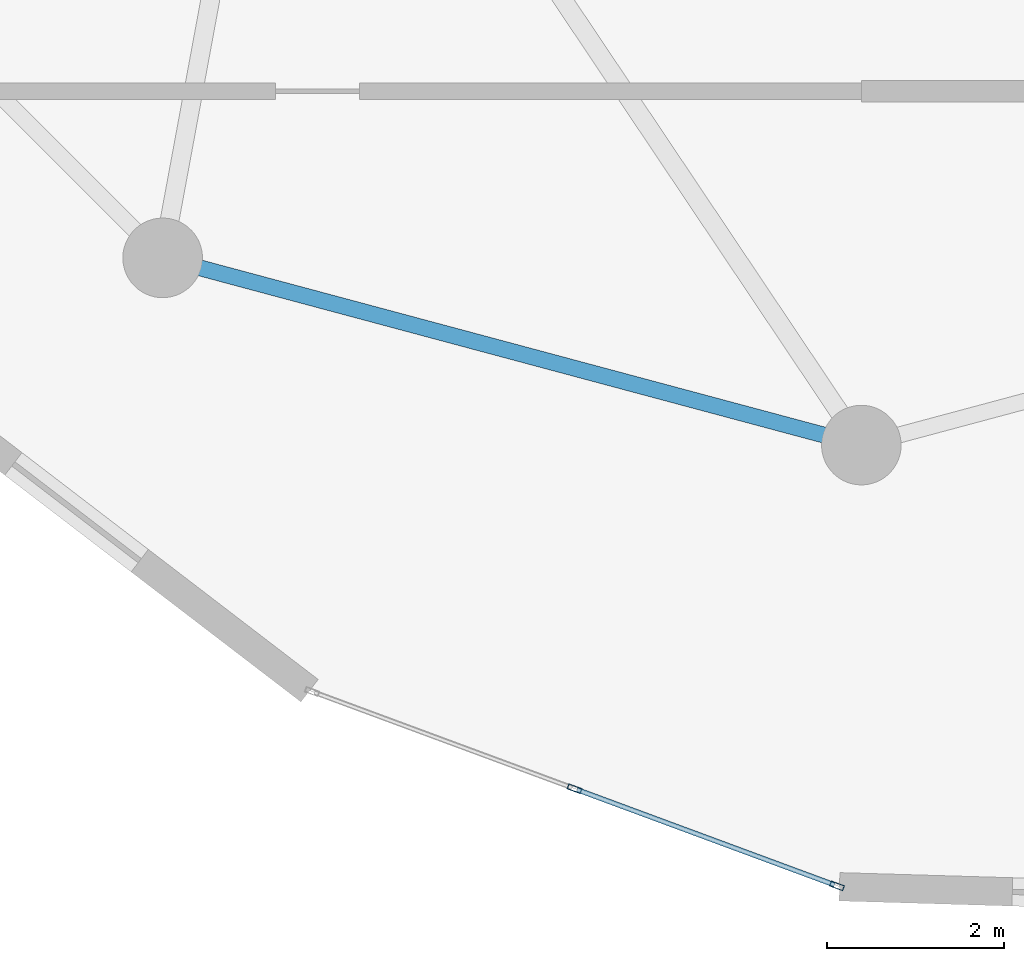
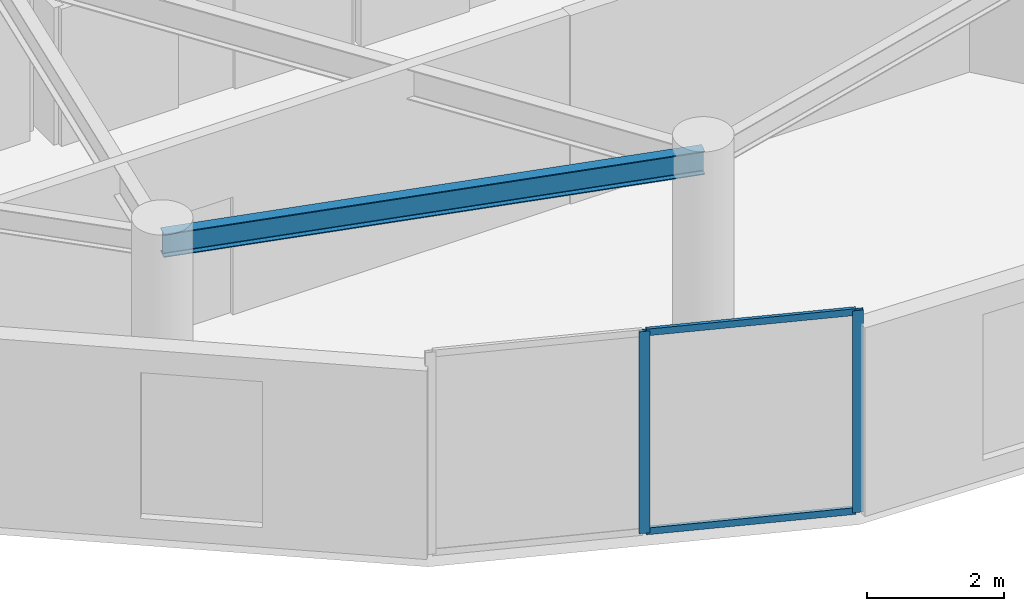
# One storey, part 3 of 20: 4 members, 1 beam, 1 element without a shape of its own.
"""IFC4 building model written with IfcOpenShell, lengths in metres."""

import ifcopenshell
import ifcopenshell.guid

model = None  # the IFC model being written
_history = None  # IfcOwnerHistory: only IFC2X3 demands one
_inside = {}  # id of a spatial element -> (the spatial element, [elements in it])
_under = {}  # id of a project, library or spatial element -> (it, [spatial elements below it])
_declared = {}  # id of a project -> (the project, [libraries it declares])
_typed = {}  # id of a type object -> (the type object, [elements of that type])
_made_of = {}  # id of a material, layer set ... -> (it, [elements and type objects made of it])


def new_model(schema):
    """Start an empty IFC model of exactly this schema.

    Asked for "IFC4X3", IfcOpenShell would pick the latest addendum, in which some entities
    have other attributes; the version numbers below select the first issue.
    IFC2X3 requires an IfcOwnerHistory on every rooted entity: one is made here for all.
    """
    global model, _history
    if schema == "IFC4X3":
        model = ifcopenshell.file(schema_version=(4, 3, 0, 0))
    else:
        model = ifcopenshell.file(schema=schema)
    _inside.clear()
    _under.clear()
    _declared.clear()
    _typed.clear()
    _made_of.clear()
    _history = None
    if model.schema == "IFC2X3":
        org = make("IfcOrganization", Name="unknown")
        user = make(
            "IfcPersonAndOrganization",
            ThePerson=make("IfcPerson", FamilyName="unknown"),
            TheOrganization=org,
        )
        app = make(
            "IfcApplication",
            ApplicationDeveloper=org,
            Version="unknown",
            ApplicationFullName="unknown",
            ApplicationIdentifier="unknown",
        )
        _history = make(
            "IfcOwnerHistory",
            OwningUser=user,
            OwningApplication=app,
            ChangeAction="ADDED",
            CreationDate=0,
        )
    return model


def make(cls, **values):
    """One entity of the class cls with the attributes given. An attribute that is None is left unset."""
    return model.create_entity(
        cls, **{name: value for name, value in values.items() if value is not None}
    )


def rooted(cls, **values):
    """An entity with a GlobalId (a new one), such as an element, a storey or a relation."""
    return make(cls, GlobalId=ifcopenshell.guid.new(), OwnerHistory=_history, **values)


def si_unit(unit_type, name, prefix=None):
    """IfcSIUnit, for example si_unit("LENGTHUNIT", "METRE", prefix="MILLI")."""
    return make("IfcSIUnit", UnitType=unit_type, Prefix=prefix, Name=name)


def assignment(units):
    """IfcUnitAssignment: the units of a project."""
    return None if units is None else make("IfcUnitAssignment", Units=units)


def point(xyz):
    """IfcCartesianPoint."""
    return None if xyz is None else make("IfcCartesianPoint", Coordinates=xyz)


def direction(xyz):
    """IfcDirection."""
    return None if xyz is None else make("IfcDirection", DirectionRatios=xyz)


def frame(location, z_axis=None, x_axis=None):
    """IfcAxis2Placement3D, a coordinate frame: its origin and axes. An axis left out is left unset."""
    return make(
        "IfcAxis2Placement3D",
        Location=point(location),
        Axis=direction(z_axis),
        RefDirection=direction(x_axis),
    )


def frame_2d(location, x_axis=None):
    """IfcAxis2Placement2D, a coordinate frame in the plane: its origin and x axis."""
    return make(
        "IfcAxis2Placement2D", Location=point(location), RefDirection=direction(x_axis)
    )


def origin():
    """The frame at (0, 0, 0) with its axes left unset."""
    return frame((0.0, 0.0, 0.0))


def origin_2d():
    """The frame at (0, 0) in the plane with its x axis left unset."""
    return frame_2d((0.0, 0.0))


def place(relative_to, where):
    """IfcLocalPlacement: puts the frame where relative to a parent placement (None: the world)."""
    return make(
        "IfcLocalPlacement", PlacementRelTo=relative_to, RelativePlacement=where
    )


def context(
    kind, dimensions, precision=None, world=None, true_north=None, identifier=None
):
    """IfcGeometricRepresentationContext, for example the 3D "Model" context."""
    return make(
        "IfcGeometricRepresentationContext",
        ContextIdentifier=identifier,
        ContextType=kind,
        CoordinateSpaceDimension=dimensions,
        Precision=precision,
        WorldCoordinateSystem=world,
        TrueNorth=true_north,
    )


def subcontext(parent, identifier, kind, view, scale=None):
    """IfcGeometricRepresentationSubContext, for example "Body" below "Model"."""
    return make(
        "IfcGeometricRepresentationSubContext",
        ContextIdentifier=identifier,
        ContextType=kind,
        ParentContext=parent,
        TargetScale=scale,
        TargetView=view,
    )


def project(units=None, contexts=None):
    """IfcProject with its units and contexts."""
    return rooted(
        "IfcProject",
        Name="project",
        RepresentationContexts=contexts,
        UnitsInContext=assignment(units),
    )


def spatial(cls, under=None, at=None, **own):
    """A site, building, storey or space (cls), placed at a placement, below another one or the project."""
    s = rooted(cls, ObjectPlacement=at, **own)
    if under is not None:
        _under.setdefault(under.id(), (under, []))[1].append(s)
    return s


def profile(cls, at=None, kind="AREA", **sizes):
    """A parametric profile (cls). Its sizes go by their IFC names, for example OverallWidth=200.0."""
    return make(cls, ProfileType=kind, Position=at, **sizes)


def hollow_rectangle(**sizes):
    """IfcRectangleHollowProfileDef."""
    return profile("IfcRectangleHollowProfileDef", **sizes)


def i_section(**sizes):
    """IfcIShapeProfileDef."""
    return profile("IfcIShapeProfileDef", **sizes)


def extrude(swept, where, along, depth):
    """IfcExtrudedAreaSolid: the profile swept, set in the frame where, extruded along a direction by depth."""
    return make(
        "IfcExtrudedAreaSolid",
        SweptArea=swept,
        Position=where,
        ExtrudedDirection=direction(along),
        Depth=depth,
    )


def shape(context_of_items, identifier, shape_type, items):
    """IfcShapeRepresentation: the items that make up one representation, for example the "Body"."""
    return make(
        "IfcShapeRepresentation",
        ContextOfItems=context_of_items,
        RepresentationIdentifier=identifier,
        RepresentationType=shape_type,
        Items=items,
    )


def source(mapping_origin, context_of_items, identifier, shape_type, items):
    """IfcRepresentationMap: a shape defined once, which mapped items show again and again."""
    return make(
        "IfcRepresentationMap",
        MappingOrigin=mapping_origin,
        MappedRepresentation=shape(context_of_items, identifier, shape_type, items),
    )


def transform(
    local_origin,
    x_axis=None,
    y_axis=None,
    z_axis=None,
    scale=None,
    scale2=None,
    scale3=None,
    uniform=True,
):
    """IfcCartesianTransformationOperator3D, or its non-uniform kind. x_axis, y_axis, z_axis: its Axis1, 2, 3."""
    if uniform:
        return make(
            "IfcCartesianTransformationOperator3D",
            Axis1=direction(x_axis),
            Axis2=direction(y_axis),
            LocalOrigin=point(local_origin),
            Scale=scale,
            Axis3=direction(z_axis),
        )
    return make(
        "IfcCartesianTransformationOperator3DnonUniform",
        Axis1=direction(x_axis),
        Axis2=direction(y_axis),
        LocalOrigin=point(local_origin),
        Scale=scale,
        Axis3=direction(z_axis),
        Scale2=scale2,
        Scale3=scale3,
    )


def mapped(mapping_source, mapping_target):
    """IfcMappedItem: shows the shape of a source again, moved by a transform."""
    return make(
        "IfcMappedItem", MappingSource=mapping_source, MappingTarget=mapping_target
    )


def material(Name=None, Category=None):
    """IfcMaterial."""
    return make("IfcMaterial", Name=Name, Category=Category)


def layer(
    of_material, thickness, ventilated=None, Name=None, Category=None, Priority=None
):
    """IfcMaterialLayer: one layer of a wall or slab, of a material (None: an air gap)."""
    return make(
        "IfcMaterialLayer",
        Material=of_material,
        LayerThickness=thickness,
        IsVentilated=ventilated,
        Name=Name,
        Category=Category,
        Priority=Priority,
    )


def layer_set(layers, Name=None):
    """IfcMaterialLayerSet."""
    return make("IfcMaterialLayerSet", MaterialLayers=layers, LayerSetName=Name)


def material_profile(
    of_material, cross_section, Name=None, Category=None, Priority=None
):
    """IfcMaterialProfile: a cross section and its material."""
    return make(
        "IfcMaterialProfile",
        Name=Name,
        Material=of_material,
        Profile=cross_section,
        Priority=Priority,
        Category=Category,
    )


def profile_set(profiles, Name=None, composite=None):
    """IfcMaterialProfileSet."""
    return make(
        "IfcMaterialProfileSet",
        Name=Name,
        MaterialProfiles=profiles,
        CompositeProfile=composite,
    )


def made_of(thing, what):
    """Note that an element or type object is made of a material, layer set ...; save() writes the relation."""
    if what is not None:
        _made_of.setdefault(what.id(), (what, []))[1].append(thing)
    return thing


def type_object(cls, material=None, **own):
    """A type object (cls), such as IfcWallType, which elements share."""
    return made_of(rooted(cls, **own), material)


def element(
    cls,
    number,
    at=None,
    inside=None,
    cuts=None,
    type_object=None,
    material=None,
    context=None,
    identifier="Body",
    shape_type=None,
    held_by="IfcProductDefinitionShape",
    body=None,
    shapes=None,
    **own,
):
    """One element of the class cls, such as IfcWall. Its Tag is "e" and its number.

    at: its placement. inside: the storey or other place that contains it. cuts: it is an
    opening in that element (IfcRelVoidsElement). A single representation is given by context,
    identifier, shape_type and body (its items); several are given by shapes. held_by: the class
    of the entity that holds the representations. save() writes the other relations.
    """
    e = rooted(cls, Tag="e%d" % number, ObjectPlacement=at, **own)
    if body is not None:
        shapes = [shape(context, identifier, shape_type, body)]
    if shapes is not None:
        e.Representation = make(held_by, Representations=shapes)
    if inside is not None:
        _inside.setdefault(inside.id(), (inside, []))[1].append(e)
    if cuts is not None:
        rooted(
            "IfcRelVoidsElement", RelatingBuildingElement=cuts, RelatedOpeningElement=e
        )
    if type_object is not None:
        _typed.setdefault(type_object.id(), (type_object, []))[1].append(e)
    return made_of(e, material)


def aggregate(whole, parts):
    """IfcRelAggregates: a whole, such as a stair, and the parts it consists of."""
    return rooted("IfcRelAggregates", RelatingObject=whole, RelatedObjects=parts)


def save(model, path):
    """Write the relations noted so far, then the file.

    IfcRelAggregates (storeys below a building ...), IfcRelContainedInSpatialStructure (elements
    in a storey), IfcRelDefinesByType, IfcRelAssociatesMaterial and IfcRelDeclares: one each for
    every whole, place, type object, material and project.
    """
    for whole, parts in _under.values():
        aggregate(whole, parts)
    for where, things in _inside.values():
        rooted(
            "IfcRelContainedInSpatialStructure",
            RelatedElements=things,
            RelatingStructure=where,
        )
    for kind, things in _typed.values():
        rooted("IfcRelDefinesByType", RelatedObjects=things, RelatingType=kind)
    for what, things in _made_of.values():
        rooted("IfcRelAssociatesMaterial", RelatedObjects=things, RelatingMaterial=what)
    for by, libraries in _declared.values():
        rooted("IfcRelDeclares", RelatingContext=by, RelatedDefinitions=libraries)
    model.write(path)


model = new_model("IFC4")

# Units and contexts
model_context = context("Model", 3, precision=1e-05, world=origin(), true_north=direction((0.0, 1.0)))
body_context = subcontext(model_context, "Body", "Model", "MODEL_VIEW")
ifc_project = project(units=[si_unit("LENGTHUNIT", "METRE"), si_unit("AREAUNIT", "SQUARE_METRE"), si_unit("VOLUMEUNIT", "CUBIC_METRE"), si_unit("PLANEANGLEUNIT", "RADIAN"), si_unit("MASSUNIT", "GRAM", prefix="KILO")], contexts=[model_context])

# Site, building, storey
site_placement = place(None, origin())
site = spatial("IfcSite", under=ifc_project, at=site_placement, CompositionType="ELEMENT")
building_placement = place(site_placement, origin())
building = spatial("IfcBuilding", under=site, at=building_placement, Name="Solvirekh Grand Hotel", CompositionType="ELEMENT")
storey_placement = place(building_placement, frame((0.0, 0.0, 194.800048828125)))
storey = spatial("IfcBuildingStorey", under=building, at=storey_placement, Name="L50", CompositionType="ELEMENT", Elevation=194.800048828125)

# Beam
ifc_material_1 = material(Name="Steel S355", Category="steel")
ifc_material_profile_1 = material_profile(ifc_material_1, i_section(OverallWidth=0.180908203125, OverallDepth=0.4169921875, WebThickness=0.010009765625, FlangeThickness=0.01611328125, FilletRadius=0.011962890625, at=origin_2d()), Name="W410X85")
ifc_profile_set_1 = profile_set([ifc_material_profile_1], Name="Steel S355")
beam_type = type_object("IfcBeamType", Name="Spandrel_Ring_W410", PredefinedType="SPANDREL", material=ifc_profile_set_1)
beam_placement = place(storey_placement, frame((-7.89990234375, -13.68310546875, 3.15185546875), z_axis=(0.965920601923, -0.258838541915, 0.0), x_axis=(0.258838541915, 0.965920601923, 0.0)))
element("IfcBeam", 1, at=beam_placement, inside=storey, type_object=beam_type, Name="L50 perimeter spandrel beam 9", PredefinedType="SPANDREL", context=body_context, shape_type="SweptSolid", body=[
    extrude(i_section(OverallWidth=0.180908203125, OverallDepth=0.4169921875, WebThickness=0.010009765625, FlangeThickness=0.01611328125, FilletRadius=0.011962890625, at=origin_2d()), origin(), (0.0, 0.0, 1.0), 8.1787109375),
])

# Curtain wall, members
ifc_material_2 = material(Name="Anodized Bronze Aluminium 6063-T6", Category="aluminium")
ifc_layer = layer(ifc_material_2, 0.159912109375)
ifc_layer_set = layer_set([ifc_layer], Name="Anodized Bronze Aluminium 6063-T6")
curtain_wall_type = type_object("IfcCurtainWallType", Name="CW_Sys4_HighZoneFlushBronzeCW", PredefinedType="NOTDEFINED", material=ifc_layer_set)
curtain_wall_placement = place(storey_placement, origin())
curtain_wall = element("IfcCurtainWall", 2, at=curtain_wall_placement, inside=storey, type_object=curtain_wall_type, Name="L50 unitised bronze-glass curtain wall CW-L50-C18", PredefinedType="NOTDEFINED")
ifc_material_profile_2 = material_profile(ifc_material_2, hollow_rectangle(XDim=0.054931640625, YDim=0.1201171875, WallThickness=0.00390625, at=origin_2d()), Name="ALU RHS 120X55X4")
ifc_profile_set_2 = profile_set([ifc_material_profile_2], Name="Anodized Bronze Aluminium 6063-T6")
member_type_1 = type_object("IfcMemberType", Name="CWTransom_Sys4", PredefinedType="USERDEFINED", material=ifc_profile_set_2)
shared_shape_1 = source(origin(), body_context, "Body", "SweptSolid", [
    extrude(hollow_rectangle(XDim=0.054931640625, YDim=0.1201171875, WallThickness=0.00390625, at=origin_2d()), origin(), (0.0, 0.0, 1.0), 3.1044921875),
])
member_1_placement = place(storey_placement, frame((-3.21484375, -19.69580078125, 0.02734375), z_axis=(0.937852117022, -0.347035166226, 0.0), x_axis=(0.347035166226, 0.937852117022, 0.0)))
member_1 = element("IfcMember", 3, at=member_1_placement, type_object=member_type_1, Name="U04 transom 2.1", ObjectType="TRANSOM", PredefinedType="USERDEFINED", context=body_context, shape_type="MappedRepresentation", body=[
    mapped(shared_shape_1, transform((0.0, 0.0, 0.0), x_axis=(1.0, 0.0, 0.0), y_axis=(0.0, 1.0, 0.0), z_axis=(0.0, 0.0, 1.0), scale=1.0)),
])
member_2_placement = place(storey_placement, frame((-3.21484375, -19.69580078125, 3.572509765625), z_axis=(0.937852117022, -0.347035166226, 0.0), x_axis=(0.347035166226, 0.937852117022, 0.0)))
member_2 = element("IfcMember", 4, at=member_2_placement, type_object=member_type_1, Name="U04 transom 2.2", ObjectType="TRANSOM", PredefinedType="USERDEFINED", context=body_context, shape_type="MappedRepresentation", body=[
    mapped(shared_shape_1, transform((0.0, 0.0, 0.0), x_axis=(1.0, 0.0, 0.0), y_axis=(0.0, 1.0, 0.0), z_axis=(0.0, 0.0, 1.0), scale=1.0)),
])
ifc_material_profile_3 = material_profile(ifc_material_2, hollow_rectangle(XDim=0.06005859375, YDim=0.159912109375, WallThickness=0.0048828125, at=origin_2d()), Name="ALU RHS 160X60X5")
ifc_profile_set_3 = profile_set([ifc_material_profile_3], Name="Anodized Bronze Aluminium 6063-T6")
member_type_2 = type_object("IfcMemberType", Name="CWMullion_Sys4", PredefinedType="MULLION", material=ifc_profile_set_3)
shared_shape_2 = source(origin(), body_context, "Body", "SweptSolid", [
    extrude(hollow_rectangle(XDim=0.06005859375, YDim=0.159912109375, WallThickness=0.0048828125, at=origin_2d()), origin(), (0.0, 0.0, 1.0), 3.599853515625),
])
member_3_placement = place(storey_placement, frame((-3.242919921875, -19.685546875, 0.0), z_axis=(0.0, 0.0, 1.0), x_axis=(0.347003374905, 0.937863880211, 0.0)))
member_3 = element("IfcMember", 5, at=member_3_placement, type_object=member_type_2, Name="U04 mullion 2", PredefinedType="MULLION", context=body_context, shape_type="MappedRepresentation", body=[
    mapped(shared_shape_2, transform((0.0, 0.0, 0.0), x_axis=(1.0, 0.0, 0.0), y_axis=(0.0, 1.0, 0.0), z_axis=(0.0, 0.0, 1.0), scale=1.0)),
])
member_4_placement = place(storey_placement, frame((-0.275146484375, -20.78369140625, 0.0), z_axis=(0.0, 0.0, 1.0), x_axis=(0.347003374905, 0.937863880211, 0.0)))
member_4 = element("IfcMember", 6, at=member_4_placement, type_object=member_type_2, Name="U04 mullion 3", PredefinedType="MULLION", context=body_context, shape_type="MappedRepresentation", body=[
    mapped(shared_shape_2, transform((0.0, 0.0, 0.0), x_axis=(1.0, 0.0, 0.0), y_axis=(0.0, 1.0, 0.0), z_axis=(0.0, 0.0, 1.0), scale=1.0)),
])
aggregate(curtain_wall, [member_3, member_4, member_1, member_2])

save(model, "model.ifc")
